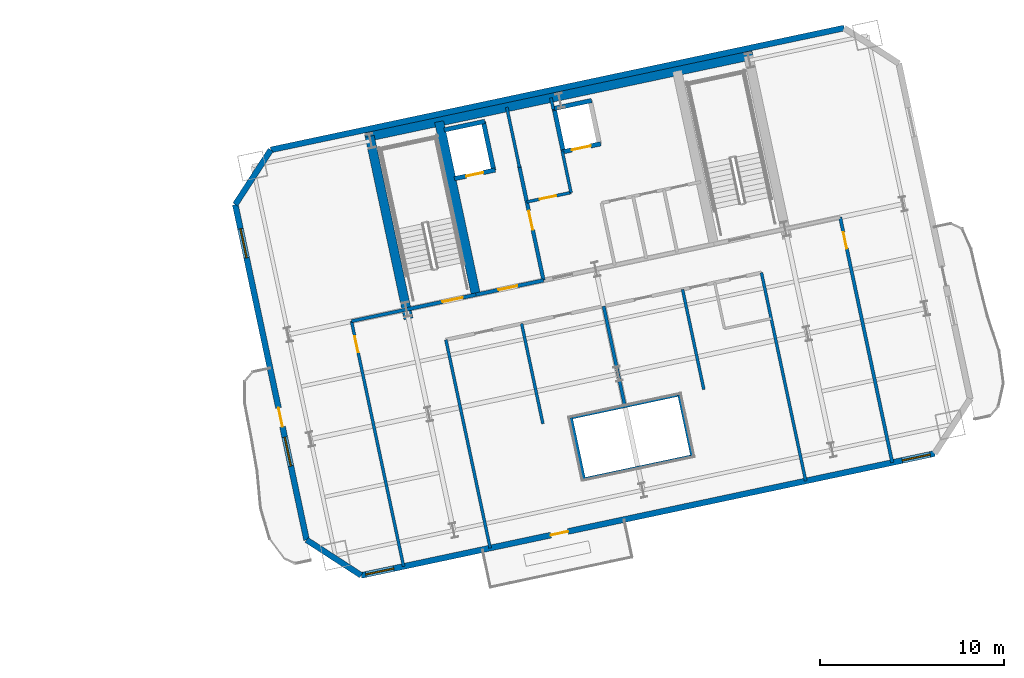
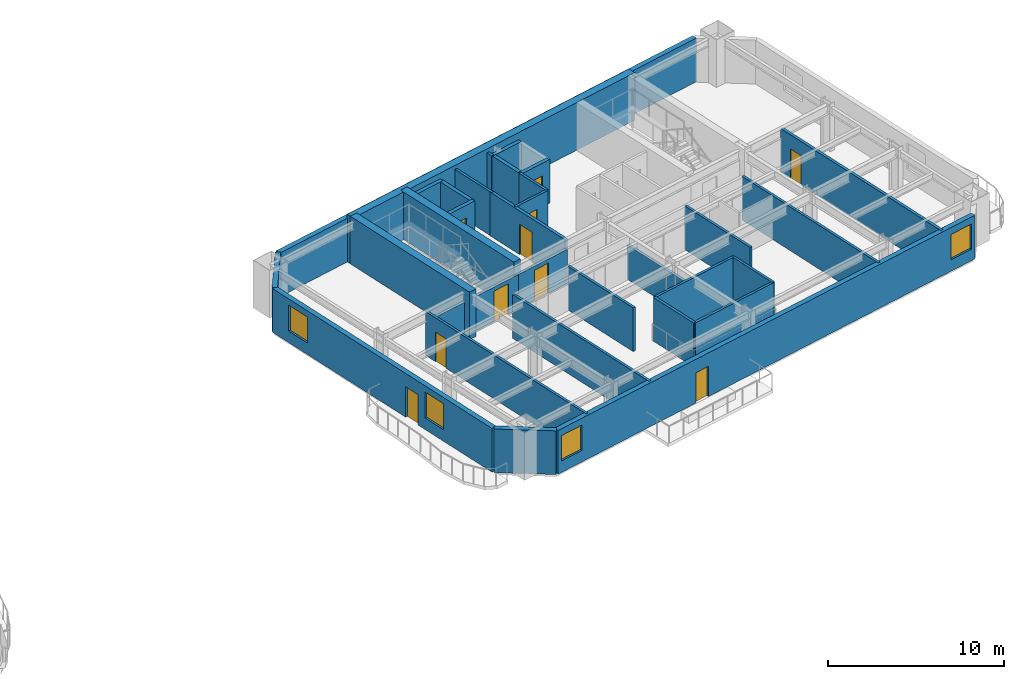
# One storey, part 8 of 14: 33 walls, 10 doors, 4 windows, 14 openings.
"""IFC4 building model written with IfcOpenShell, lengths in metres."""

from ifc_helpers import new_model, si_unit, direction, frame, frame_2d, origin, place, context, subcontext, project, spatial, rectangle, extrude, material, layer, layer_set, type_object, element, fill, save


model = new_model("IFC4")

# Units and contexts
model_context = context("Model", 3, precision=1e-05, world=origin(), true_north=direction((0.0, 1.0)))
body_context = subcontext(model_context, "Body", "Model", "MODEL_VIEW")
ifc_project = project(units=[si_unit("LENGTHUNIT", "METRE"), si_unit("AREAUNIT", "SQUARE_METRE"), si_unit("VOLUMEUNIT", "CUBIC_METRE"), si_unit("PLANEANGLEUNIT", "RADIAN"), si_unit("MASSUNIT", "GRAM", prefix="KILO")], contexts=[model_context])

# Site, building, storey
site_placement = place(None, origin())
site = spatial("IfcSite", under=ifc_project, at=site_placement, CompositionType="ELEMENT")
building_placement = place(site_placement, origin())
building = spatial("IfcBuilding", under=site, at=building_placement, Name="Haevon Station Towers", CompositionType="ELEMENT")
storey_placement = place(building_placement, frame((0.0, 0.0, 116.39990234375)))
storey = spatial("IfcBuildingStorey", under=building, at=storey_placement, Name="L31", CompositionType="ELEMENT", Elevation=116.39990234375)

# Wall
ifc_material_1 = material(Name="Gypsum board on steel stud", Category="steel")
ifc_layer_1 = layer(ifc_material_1, 0.179931640625)
ifc_layer_set_1 = layer_set([ifc_layer_1], Name="Gypsum board on steel stud")
wall_type_1 = type_object("IfcWallType", Name="WL-ACU180", PredefinedType="PARTITIONING", material=ifc_layer_set_1)
wall_1_placement = place(storey_placement, frame((95.76904296875, 36.808349609375, 0.0), z_axis=(0.0, 0.0, 1.0), x_axis=(0.978154782045, 0.207877902534, 0.0)))
element("IfcWall", 1, at=wall_1_placement, inside=storey, type_object=wall_type_1, Name="WL-T2PT-L31-03", PredefinedType="PARTITIONING", context=body_context, shape_type="SweptSolid", body=[
    extrude(rectangle(XDim=3.050048828125, YDim=0.179931640625, at=frame_2d((1.52490234375, 0.0))), origin(), (0.0, 0.0, 1.0), 2.380126953125),
])

# Wall, opening, door
wall_2_placement = place(storey_placement, frame((125.1044921875, 29.139892578125, 0.0), z_axis=(0.0, 0.0, 1.0), x_axis=(-0.207915436261, 0.978146804608, 0.0)))
wall_2 = element("IfcWall", 2, at=wall_2_placement, inside=storey, type_object=wall_type_1, Name="WL-T2PT-L31-06", PredefinedType="PARTITIONING", context=body_context, shape_type="SweptSolid", body=[
    extrude(rectangle(XDim=13.599853515625, YDim=0.179931640625, at=frame_2d((6.7998046875, 0.0))), origin(), (0.0, 0.0, 1.0), 3.030029296875),
])
opening_1_placement = place(wall_2_placement, frame((11.8701171875, 0.0, 0.0)))
opening_1 = element("IfcOpeningElement", 3, at=opening_1_placement, cuts=wall_2, Name="Opening DR-WL-T2PT-L31-06-01", PredefinedType="OPENING", context=body_context, shape_type="SweptSolid", body=[
    extrude(rectangle(XDim=0.89990234375, YDim=2.050048828125, at=frame_2d((0.449951171875, 1.02490234375))), frame((0.0, 0.099853515625, 0.0), z_axis=(0.0, -1.0, 0.0), x_axis=(1.0, 0.0, 0.0)), (0.0, 0.0, 1.0), 0.199951171875),
])
ifc_material_2 = material(Name="Engineered oak timber", Category="wood")
door_type_1 = type_object("IfcDoorType", Name="DR-INT-900", OperationType="NOTDEFINED", PredefinedType="DOOR", material=ifc_material_2)
door_1_placement = place(opening_1_placement, origin())
door_1 = element("IfcDoor", 4, at=door_1_placement, inside=storey, type_object=door_type_1, Name="L31 Tower 2 Room Door 6-1", OperationType="SINGLE_SWING_RIGHT", OverallHeight=2.050048828125, OverallWidth=0.89990234375, PredefinedType="DOOR", context=body_context, shape_type="SweptSolid", body=[
    extrude(rectangle(XDim=0.89990234375, YDim=2.050048828125, at=frame_2d((0.449951171875, 1.02490234375))), frame((0.0, 0.02490234375, 0.0), z_axis=(0.0, -1.0, 0.0), x_axis=(1.0, 0.0, 0.0)), (0.0, 0.0, 1.0), 0.050048828125),
])
fill(opening_1, door_1)

# Walls
wall_3_placement = place(storey_placement, frame((108.37548828125, 28.2421875, 0.0), z_axis=(0.0, 0.0, 1.0), x_axis=(-0.207881084728, 0.978154105758, 0.0)))
element("IfcWall", 5, at=wall_3_placement, inside=storey, type_object=wall_type_1, Name="WL-T2PT-L31-09", PredefinedType="PARTITIONING", context=body_context, shape_type="SweptSolid", body=[
    extrude(rectangle(XDim=3.39990234375, YDim=0.179931640625, at=frame_2d((1.699951171875, 0.0))), origin(), (0.0, 0.0, 1.0), 3.030029296875),
])
wall_4_placement = place(storey_placement, frame((110.60302734375, 32.191650390625, 0.0), z_axis=(0.0, 0.0, 1.0), x_axis=(-0.207894531291, 0.978151247946, 0.0)))
element("IfcWall", 6, at=wall_4_placement, inside=storey, type_object=wall_type_1, Name="WL-T2PT-L31-12", PredefinedType="PARTITIONING", context=body_context, shape_type="SweptSolid", body=[
    extrude(rectangle(XDim=5.550048828125, YDim=0.179931640625, at=frame_2d((2.77490234375, 0.0))), origin(), (0.0, 0.0, 1.0), 2.380126953125),
])

# Wall, opening, door
ifc_layer_2 = layer(ifc_material_1, 0.199951171875)
ifc_layer_set_2 = layer_set([ifc_layer_2], Name="Gypsum board on steel stud")
wall_type_2 = type_object("IfcWallType", Name="WL-COR200", PredefinedType="PARTITIONING", material=ifc_layer_set_2)
wall_5_placement = place(storey_placement, frame((98.75244140625, 37.4423828125, 0.0), z_axis=(0.0, 0.0, 1.0), x_axis=(0.978143537786, 0.207930804564, 0.0)))
wall_5 = element("IfcWall", 7, at=wall_5_placement, inside=storey, type_object=wall_type_2, Name="WL-ST-ST3-L31", PredefinedType="PARTITIONING", context=body_context, shape_type="SweptSolid", body=[
    extrude(rectangle(XDim=3.85009765625, YDim=0.199951171875, at=frame_2d((1.925048828125, 0.0))), origin(), (0.0, 0.0, 1.0), 2.380126953125),
])
opening_2_placement = place(wall_5_placement, frame((2.0, 0.0, 0.0)))
opening_2 = element("IfcOpeningElement", 8, at=opening_2_placement, cuts=wall_5, Name="Opening DR-ST-ST3-L31", PredefinedType="OPENING", context=body_context, shape_type="SweptSolid", body=[
    extrude(rectangle(XDim=1.1201171875, YDim=2.10009765625, at=frame_2d((0.56005859375, 1.050048828125))), frame((0.0, 0.10986328125, 0.0), z_axis=(0.0, -1.0, 0.0), x_axis=(1.0, 0.0, 0.0)), (0.0, 0.0, 1.0), 0.219970703125),
])
door_type_2 = type_object("IfcDoorType", Name="DR-ST-1120", OperationType="NOTDEFINED", PredefinedType="DOOR", material=ifc_material_2)
door_2_placement = place(opening_2_placement, origin())
door_2 = element("IfcDoor", 9, at=door_2_placement, inside=storey, type_object=door_type_2, Name="L31 Escape Stair ST3 Fire Door", OperationType="SINGLE_SWING_LEFT", OverallHeight=2.10009765625, OverallWidth=1.1201171875, PredefinedType="DOOR", context=body_context, shape_type="SweptSolid", body=[
    extrude(rectangle(XDim=1.1201171875, YDim=2.10009765625, at=frame_2d((0.56005859375, 1.050048828125))), frame((0.0, 0.02490234375, 0.0), z_axis=(0.0, -1.0, 0.0), x_axis=(1.0, 0.0, 0.0)), (0.0, 0.0, 1.0), 0.050048828125),
])
fill(opening_2, door_2)

wall_6_placement = place(storey_placement, frame((106.186279296875, 39.0224609375, 0.0), z_axis=(0.0, 0.0, 1.0), x_axis=(-0.207916691923, 0.978146537703, 0.0)))
wall_6 = element("IfcWall", 10, at=wall_6_placement, inside=storey, type_object=wall_type_2, Name="WL-T2FFL-L31-E", PredefinedType="PARTITIONING", context=body_context, shape_type="SweptSolid", body=[
    extrude(rectangle(XDim=6.35009765625, YDim=0.199951171875, at=frame_2d((3.175048828125, 0.0))), origin(), (0.0, 0.0, 1.0), 3.030029296875),
])
opening_3_placement = place(wall_6_placement, frame((2.800048828125, 0.0, 0.0)))
opening_3 = element("IfcOpeningElement", 11, at=opening_3_placement, cuts=wall_6, Name="Opening DR-T2FFL-L31-E", PredefinedType="OPENING", context=body_context, shape_type="SweptSolid", body=[
    extrude(rectangle(XDim=1.050048828125, YDim=2.10009765625, at=frame_2d((0.52490234375, 1.050048828125))), frame((0.0, 0.10986328125, 0.0), z_axis=(0.0, -1.0, 0.0), x_axis=(1.0, 0.0, 0.0)), (0.0, 0.0, 1.0), 0.219970703125),
])
door_type_3 = type_object("IfcDoorType", Name="DR-FD60-1050", OperationType="NOTDEFINED", PredefinedType="DOOR", material=ifc_material_2)
door_3_placement = place(opening_3_placement, origin())
door_3 = element("IfcDoor", 12, at=door_3_placement, inside=storey, type_object=door_type_3, Name="L31 Tower 2 Firefighting Lift Lobby Door E", OperationType="SINGLE_SWING_LEFT", OverallHeight=2.10009765625, OverallWidth=1.050048828125, PredefinedType="DOOR", context=body_context, shape_type="SweptSolid", body=[
    extrude(rectangle(XDim=1.050048828125, YDim=2.10009765625, at=frame_2d((0.52490234375, 1.050048828125))), frame((0.0, 0.02490234375, 0.0), z_axis=(0.0, -1.0, 0.0), x_axis=(1.0, 0.0, 0.0)), (0.0, 0.0, 1.0), 0.050048828125),
])
fill(opening_3, door_3)

wall_7_placement = place(storey_placement, frame((102.518310546875, 38.242919921875, 0.0), z_axis=(0.0, 0.0, 1.0), x_axis=(0.978153555683, 0.20788367301, 0.0)))
wall_7 = element("IfcWall", 13, at=wall_7_placement, inside=storey, type_object=wall_type_2, Name="WL-T2FFL-L31-S", PredefinedType="PARTITIONING", context=body_context, shape_type="SweptSolid", body=[
    extrude(rectangle(XDim=3.75, YDim=0.199951171875, at=frame_2d((1.875, 0.0))), origin(), (0.0, 0.0, 1.0), 2.380126953125),
])
opening_4_placement = place(wall_7_placement, frame((1.25, 0.0, 0.0)))
opening_4 = element("IfcOpeningElement", 14, at=opening_4_placement, cuts=wall_7, Name="Opening DR-T2FFL-L31-S", PredefinedType="OPENING", context=body_context, shape_type="SweptSolid", body=[
    extrude(rectangle(XDim=1.050048828125, YDim=2.10009765625, at=frame_2d((0.52490234375, 1.050048828125))), frame((0.0, 0.10986328125, 0.0), z_axis=(0.0, -1.0, 0.0), x_axis=(1.0, 0.0, 0.0)), (0.0, 0.0, 1.0), 0.219970703125),
])
door_4_placement = place(opening_4_placement, origin())
door_4 = element("IfcDoor", 15, at=door_4_placement, inside=storey, type_object=door_type_3, Name="L31 Tower 2 Firefighting Lift Lobby Door S", OperationType="SINGLE_SWING_RIGHT", OverallHeight=2.10009765625, OverallWidth=1.050048828125, PredefinedType="DOOR", context=body_context, shape_type="SweptSolid", body=[
    extrude(rectangle(XDim=1.050048828125, YDim=2.10009765625, at=frame_2d((0.52490234375, 1.050048828125))), frame((0.0, 0.02490234375, 0.0), z_axis=(0.0, -1.0, 0.0), x_axis=(1.0, 0.0, 0.0)), (0.0, 0.0, 1.0), 0.050048828125),
])
fill(opening_4, door_4)

# Walls
ifc_material_3 = material(Name="Concrete C60/75", Category="concrete")
ifc_layer_3 = layer(ifc_material_3, 0.5)
ifc_layer_set_3 = layer_set([ifc_layer_3], Name="Concrete C60/75")
wall_type_3 = type_object("IfcWallType", Name="WL-CR500", PredefinedType="SHEAR", material=ifc_layer_set_3)
wall_8_placement = place(storey_placement, frame((96.511962890625, 46.78076171875, 0.0), z_axis=(0.0, 0.0, 1.0), x_axis=(0.978148546782, 0.207907239961, 0.0)))
element("IfcWall", 16, at=wall_8_placement, inside=storey, type_object=wall_type_3, Name="WL-T2CR-L31-N", PredefinedType="SHEAR", context=body_context, shape_type="SweptSolid", body=[
    extrude(rectangle(XDim=21.499755859375, YDim=0.5, at=frame_2d((10.75, 0.0))), origin(), (0.0, 0.0, 1.0), 3.300048828125),
])
wall_9_placement = place(storey_placement, frame((98.8603515625, 36.933837890625, 0.0), z_axis=(0.0, 0.0, 1.0), x_axis=(-0.20790924889, 0.978148119778, 0.0)))
element("IfcWall", 17, at=wall_9_placement, inside=storey, type_object=wall_type_3, Name="WL-T2CR-L31-W", PredefinedType="SHEAR", context=body_context, shape_type="SweptSolid", body=[
    extrude(rectangle(XDim=10.119873046875, YDim=0.5, at=frame_2d((5.06005859375, 0.0))), origin(), (0.0, 0.0, 1.0), 3.300048828125),
])
wall_10_placement = place(storey_placement, frame((102.518310546875, 38.242919921875, 0.0), z_axis=(0.0, 0.0, 1.0), x_axis=(-0.207927495108, 0.978144241295, 0.0)))
element("IfcWall", 18, at=wall_10_placement, inside=storey, type_object=wall_type_3, Name="WL-T2CR-L31-M1", PredefinedType="SHEAR", context=body_context, shape_type="SweptSolid", body=[
    extrude(rectangle(XDim=9.599853515625, YDim=0.5, at=frame_2d((4.7998046875, 0.0))), origin(), (0.0, 0.0, 1.0), 3.300048828125),
])

# Wall, openings, door, windows
ifc_material_4 = material(Name="Precast concrete C45/55", Category="concrete")
ifc_layer_4 = layer(ifc_material_4, 0.320068359375)
ifc_layer_set_4 = layer_set([ifc_layer_4], Name="Precast concrete C45/55")
wall_type_4 = type_object("IfcWallType", Name="WL-EXT-PIER320", PredefinedType="SOLIDWALL", material=ifc_layer_set_4)
wall_11_placement = place(storey_placement, frame((127.403076171875, 29.62841796875, 0.0), z_axis=(0.0, 0.0, 1.0), x_axis=(-0.978147903401, -0.207910266877, 0.0)))
wall_11 = element("IfcWall", 19, at=wall_11_placement, inside=storey, type_object=wall_type_4, Name="WL-T2-L31-S", PredefinedType="SOLIDWALL", context=body_context, shape_type="SweptSolid", body=[
    extrude(rectangle(XDim=31.800048828125, YDim=0.320068359375, at=frame_2d((15.89990234375, 0.0))), origin(), (0.0, 0.0, 1.0), 3.030029296875),
])
opening_5_placement = place(wall_11_placement, frame((20.3349609375, 0.0, 0.0)))
opening_5 = element("IfcOpeningElement", 20, at=opening_5_placement, cuts=wall_11, Name="Opening DR-T2-PBAND-L31-1", PredefinedType="OPENING", context=body_context, shape_type="SweptSolid", body=[
    extrude(rectangle(XDim=0.949951171875, YDim=2.10009765625, at=frame_2d((0.47509765625, 1.050048828125))), frame((0.0, 0.169921875, 0.0), z_axis=(0.0, -1.0, 0.0), x_axis=(1.0, 0.0, 0.0)), (0.0, 0.0, 1.0), 0.340087890625),
])
opening_6_placement = place(wall_11_placement, frame((30.0, 0.0, 0.800048828125)))
opening_6 = element("IfcOpeningElement", 21, at=opening_6_placement, cuts=wall_11, Name="Opening WN-P155", PredefinedType="OPENING", context=body_context, shape_type="SweptSolid", body=[
    extrude(rectangle(XDim=1.550048828125, YDim=1.75, at=frame_2d((0.77490234375, 0.875))), frame((0.0, 0.169921875, 0.0), z_axis=(0.0, -1.0, 0.0), x_axis=(1.0, 0.0, 0.0)), (0.0, 0.0, 1.0), 0.340087890625),
])
opening_7_placement = place(wall_11_placement, frame((0.25, 0.0, 0.800048828125)))
opening_7 = element("IfcOpeningElement", 22, at=opening_7_placement, cuts=wall_11, Name="Opening WN-P155", PredefinedType="OPENING", context=body_context, shape_type="SweptSolid", body=[
    extrude(rectangle(XDim=1.550048828125, YDim=1.75, at=frame_2d((0.77490234375, 0.875))), frame((0.0, 0.169921875, 0.0), z_axis=(0.0, -1.0, 0.0), x_axis=(1.0, 0.0, 0.0)), (0.0, 0.0, 1.0), 0.340087890625),
])
ifc_material_5 = material(Name="Thermally broken anodised aluminium and laminated safety glass", Category="aluminium")
door_type_4 = type_object("IfcDoorType", Name="DR-BALC-950", OperationType="NOTDEFINED", PredefinedType="DOOR", material=ifc_material_5)
door_5_placement = place(opening_5_placement, origin())
door_5 = element("IfcDoor", 23, at=door_5_placement, inside=storey, type_object=door_type_4, Name="Tower 2 L31 Balcony Terrace Door", OperationType="SINGLE_SWING_LEFT", OverallHeight=2.10009765625, OverallWidth=0.949951171875, PredefinedType="DOOR", context=body_context, shape_type="SweptSolid", body=[
    extrude(rectangle(XDim=0.949951171875, YDim=2.10009765625, at=frame_2d((0.47509765625, 1.050048828125))), frame((0.0, 0.02490234375, 0.0), z_axis=(0.0, -1.0, 0.0), x_axis=(1.0, 0.0, 0.0)), (0.0, 0.0, 1.0), 0.050048828125),
])
fill(opening_5, door_5)
ifc_material_6 = material(Name="Low-E triple glazing in thermally broken aluminium", Category="aluminium")
window_type_1 = type_object("IfcWindowType", Name="WN-P155", PartitioningType="SINGLE_PANEL", PredefinedType="WINDOW", material=ifc_material_6)
window_1_placement = place(opening_6_placement, origin())
window_1 = element("IfcWindow", 24, at=window_1_placement, inside=storey, type_object=window_type_1, Name="WN-T2-L31-S01", OverallHeight=1.75, OverallWidth=1.550048828125, PartitioningType="SINGLE_PANEL", PredefinedType="WINDOW", context=body_context, shape_type="SweptSolid", body=[
    extrude(rectangle(XDim=1.550048828125, YDim=1.75, at=frame_2d((0.77490234375, 0.875))), frame((0.0, 0.030029296875, 0.0), z_axis=(0.0, -1.0, 0.0), x_axis=(1.0, 0.0, 0.0)), (0.0, 0.0, 1.0), 0.06005859375),
])
fill(opening_6, window_1)
window_2_placement = place(opening_7_placement, origin())
window_2 = element("IfcWindow", 25, at=window_2_placement, inside=storey, type_object=window_type_1, Name="WN-T2-L31-S02", OverallHeight=1.75, OverallWidth=1.550048828125, PartitioningType="SINGLE_PANEL", PredefinedType="WINDOW", context=body_context, shape_type="SweptSolid", body=[
    extrude(rectangle(XDim=1.550048828125, YDim=1.75, at=frame_2d((0.77490234375, 0.875))), frame((0.0, 0.030029296875, 0.0), z_axis=(0.0, -1.0, 0.0), x_axis=(1.0, 0.0, 0.0)), (0.0, 0.0, 1.0), 0.06005859375),
])
fill(opening_7, window_2)

# Wall
wall_12_placement = place(storey_placement, frame((96.2978515625, 23.016845703125, 0.0), z_axis=(0.0, 0.0, 1.0), x_axis=(-0.838672309694, 0.544636352948, 0.0)))
element("IfcWall", 26, at=wall_12_placement, inside=storey, type_object=wall_type_4, Name="WL-T2-L31-SWC", PredefinedType="SOLIDWALL", context=body_context, shape_type="SweptSolid", body=[
    extrude(rectangle(XDim=3.535400390625, YDim=0.320068359375, at=frame_2d((1.767578125, 0.0))), origin(), (0.0, 0.0, 1.0), 3.030029296875),
])

# Wall, openings, door, windows
wall_13_placement = place(storey_placement, frame((93.332763671875, 24.9423828125, 0.0), z_axis=(0.0, 0.0, 1.0), x_axis=(-0.207912600897, 0.97814740729, 0.0)))
wall_13 = element("IfcWall", 27, at=wall_13_placement, inside=storey, type_object=wall_type_4, Name="WL-T2-L31-W", PredefinedType="SOLIDWALL", context=body_context, shape_type="SweptSolid", body=[
    extrude(rectangle(XDim=18.60009765625, YDim=0.320068359375, at=frame_2d((9.300048828125, 0.0))), origin(), (0.0, 0.0, 1.0), 3.030029296875),
])
opening_8_placement = place(wall_13_placement, frame((6.27490234375, 0.0, 0.0)))
opening_8 = element("IfcOpeningElement", 28, at=opening_8_placement, cuts=wall_13, Name="Opening DR-T2-SCAL-L31-W", PredefinedType="OPENING", context=body_context, shape_type="SweptSolid", body=[
    extrude(rectangle(XDim=1.050048828125, YDim=2.10009765625, at=frame_2d((0.52490234375, 1.050048828125))), frame((0.0, 0.169921875, 0.0), z_axis=(0.0, -1.0, 0.0), x_axis=(1.0, 0.0, 0.0)), (0.0, 0.0, 1.0), 0.340087890625),
])
opening_9_placement = place(wall_13_placement, frame((4.10009765625, 0.0, 0.800048828125)))
opening_9 = element("IfcOpeningElement", 29, at=opening_9_placement, cuts=wall_13, Name="Opening WN-END160", PredefinedType="OPENING", context=body_context, shape_type="SweptSolid", body=[
    extrude(rectangle(XDim=1.60009765625, YDim=1.800048828125, at=frame_2d((0.800048828125, 0.89990234375))), frame((0.0, 0.169921875, 0.0), z_axis=(0.0, -1.0, 0.0), x_axis=(1.0, 0.0, 0.0)), (0.0, 0.0, 1.0), 0.340087890625),
])
opening_10_placement = place(wall_13_placement, frame((15.64990234375, 0.0, 0.800048828125)))
opening_10 = element("IfcOpeningElement", 30, at=opening_10_placement, cuts=wall_13, Name="Opening WN-END160", PredefinedType="OPENING", context=body_context, shape_type="SweptSolid", body=[
    extrude(rectangle(XDim=1.60009765625, YDim=1.800048828125, at=frame_2d((0.800048828125, 0.89990234375))), frame((0.0, 0.169921875, 0.0), z_axis=(0.0, -1.0, 0.0), x_axis=(1.0, 0.0, 0.0)), (0.0, 0.0, 1.0), 0.340087890625),
])
door_type_5 = type_object("IfcDoorType", Name="DR-BALC-1050", OperationType="NOTDEFINED", PredefinedType="DOOR", material=ifc_material_5)
door_6_placement = place(opening_8_placement, origin())
door_6 = element("IfcDoor", 31, at=door_6_placement, inside=storey, type_object=door_type_5, Name="Tower 2 L31 West Scalloped Balcony Door", OperationType="SINGLE_SWING_RIGHT", OverallHeight=2.10009765625, OverallWidth=1.050048828125, PredefinedType="DOOR", context=body_context, shape_type="SweptSolid", body=[
    extrude(rectangle(XDim=1.050048828125, YDim=2.10009765625, at=frame_2d((0.52490234375, 1.050048828125))), frame((0.0, 0.02490234375, 0.0), z_axis=(0.0, -1.0, 0.0), x_axis=(1.0, 0.0, 0.0)), (0.0, 0.0, 1.0), 0.050048828125),
])
fill(opening_8, door_6)
window_type_2 = type_object("IfcWindowType", Name="WN-END160", PartitioningType="SINGLE_PANEL", PredefinedType="WINDOW", material=ifc_material_6)
window_3_placement = place(opening_9_placement, origin())
window_3 = element("IfcWindow", 32, at=window_3_placement, inside=storey, type_object=window_type_2, Name="WN-T2-L31-W01", OverallHeight=1.800048828125, OverallWidth=1.60009765625, PartitioningType="SINGLE_PANEL", PredefinedType="WINDOW", context=body_context, shape_type="SweptSolid", body=[
    extrude(rectangle(XDim=1.60009765625, YDim=1.800048828125, at=frame_2d((0.800048828125, 0.89990234375))), frame((0.0, 0.030029296875, 0.0), z_axis=(0.0, -1.0, 0.0), x_axis=(1.0, 0.0, 0.0)), (0.0, 0.0, 1.0), 0.06005859375),
])
fill(opening_9, window_3)
window_4_placement = place(opening_10_placement, origin())
window_4 = element("IfcWindow", 33, at=window_4_placement, inside=storey, type_object=window_type_2, Name="WN-T2-L31-W02", OverallHeight=1.800048828125, OverallWidth=1.60009765625, PartitioningType="SINGLE_PANEL", PredefinedType="WINDOW", context=body_context, shape_type="SweptSolid", body=[
    extrude(rectangle(XDim=1.60009765625, YDim=1.800048828125, at=frame_2d((0.800048828125, 0.89990234375))), frame((0.0, 0.030029296875, 0.0), z_axis=(0.0, -1.0, 0.0), x_axis=(1.0, 0.0, 0.0)), (0.0, 0.0, 1.0), 0.06005859375),
])
fill(opening_10, window_4)

# Walls
wall_14_placement = place(storey_placement, frame((89.465576171875, 43.135986328125, 0.0), z_axis=(0.0, 0.0, 1.0), x_axis=(0.544684921471, 0.838640767148, 0.0)))
element("IfcWall", 34, at=wall_14_placement, inside=storey, type_object=wall_type_4, Name="WL-T2-L31-NWC", PredefinedType="SOLIDWALL", context=body_context, shape_type="SweptSolid", body=[
    extrude(rectangle(XDim=3.53564453125, YDim=0.320068359375, at=frame_2d((1.767822265625, 0.0))), origin(), (0.0, 0.0, 1.0), 3.030029296875),
])
wall_15_placement = place(storey_placement, frame((91.391357421875, 46.10107421875, 0.0), z_axis=(0.0, 0.0, 1.0), x_axis=(0.978147571531, 0.207911828208, 0.0)))
element("IfcWall", 35, at=wall_15_placement, inside=storey, type_object=wall_type_4, Name="WL-T2-L31-N", PredefinedType="SOLIDWALL", context=body_context, shape_type="SweptSolid", body=[
    extrude(rectangle(XDim=31.7998046875, YDim=0.320068359375, at=frame_2d((15.89990234375, 0.0))), origin(), (0.0, 0.0, 1.0), 3.030029296875),
])
ifc_layer_5 = layer(ifc_material_1, 0.159912109375)
ifc_layer_set_5 = layer_set([ifc_layer_5], Name="Gypsum board on steel stud")
wall_type_5 = type_object("IfcWallType", Name="WL-PRT160", PredefinedType="PARTITIONING", material=ifc_layer_set_5)
wall_16_placement = place(storey_placement, frame((104.88671875, 45.135986328125, 0.0), z_axis=(0.0, 0.0, 1.0), x_axis=(-0.207846553267, 0.978161443881, 0.0)))
element("IfcWall", 36, at=wall_16_placement, inside=storey, type_object=wall_type_5, Name="WL-T2CW-L31-01", PredefinedType="PARTITIONING", context=body_context, shape_type="SweptSolid", body=[
    extrude(rectangle(XDim=3.35009765625, YDim=0.159912109375, at=frame_2d((1.675048828125, 0.0))), origin(), (0.0, 0.0, 1.0), 3.030029296875),
])

# Wall, opening, door
wall_17_placement = place(storey_placement, frame((105.28173828125, 43.277587890625, 0.0), z_axis=(0.0, 0.0, 1.0), x_axis=(0.978156824814, 0.207868290196, 0.0)))
wall_17 = element("IfcWall", 37, at=wall_17_placement, inside=storey, type_object=wall_type_5, Name="WL-T2CW-L31-02", PredefinedType="PARTITIONING", context=body_context, shape_type="SweptSolid", body=[
    extrude(rectangle(XDim=2.449951171875, YDim=0.159912109375, at=frame_2d((1.22509765625, 0.0))), origin(), (0.0, 0.0, 1.0), 3.030029296875),
])
opening_11_placement = place(wall_17_placement, frame((0.719970703125, 0.0, 0.0)))
opening_11 = element("IfcOpeningElement", 38, at=opening_11_placement, cuts=wall_17, Name="Opening DR-WL-T2CW-L31-02-1", PredefinedType="OPENING", context=body_context, shape_type="SweptSolid", body=[
    extrude(rectangle(XDim=0.89990234375, YDim=2.10009765625, at=frame_2d((0.449951171875, 1.050048828125))), frame((0.0, 0.08984375, 0.0), z_axis=(0.0, -1.0, 0.0), x_axis=(1.0, 0.0, 0.0)), (0.0, 0.0, 1.0), 0.179931640625),
])
door_type_6 = type_object("IfcDoorType", Name="DR-FD60-900", OperationType="NOTDEFINED", PredefinedType="DOOR", material=ifc_material_2)
door_7_placement = place(opening_11_placement, origin())
door_7 = element("IfcDoor", 39, at=door_7_placement, inside=storey, type_object=door_type_6, Name="L31 Tower 2 Core Room Door 2-1", OperationType="SINGLE_SWING_LEFT", OverallHeight=2.10009765625, OverallWidth=0.89990234375, PredefinedType="DOOR", context=body_context, shape_type="SweptSolid", body=[
    extrude(rectangle(XDim=0.89990234375, YDim=2.10009765625, at=frame_2d((0.449951171875, 1.050048828125))), frame((0.0, 0.02490234375, 0.0), z_axis=(0.0, -1.0, 0.0), x_axis=(1.0, 0.0, 0.0)), (0.0, 0.0, 1.0), 0.050048828125),
])
fill(opening_11, door_7)

# Walls
wall_18_placement = place(storey_placement, frame((107.67822265625, 43.786865234375, 0.0), z_axis=(0.0, 0.0, 1.0), x_axis=(-0.207839712757, 0.978162897375, 0.0)))
element("IfcWall", 40, at=wall_18_placement, inside=storey, type_object=wall_type_5, Name="WL-T2CW-L31-03", PredefinedType="PARTITIONING", context=body_context, shape_type="SweptSolid", body=[
    extrude(rectangle(XDim=2.300048828125, YDim=0.159912109375, at=frame_2d((1.14990234375, 0.0))), origin(), (0.0, 0.0, 1.0), 3.030029296875),
])
wall_19_placement = place(storey_placement, frame((106.721923828125, 48.286376953125, 0.0), z_axis=(0.0, 0.0, 1.0), x_axis=(-0.208092352933, 0.978109182377, 0.0)))
element("IfcWall", 41, at=wall_19_placement, inside=storey, type_object=wall_type_5, Name="WL-T2CW-L31-04", PredefinedType="PARTITIONING", context=body_context, shape_type="SweptSolid", body=[
    extrude(rectangle(XDim=0.64990234375, YDim=0.159912109375, at=frame_2d((0.324951171875, 0.0))), origin(), (0.0, 0.0, 1.0), 3.030029296875),
])
for number, where, z_axis, x_axis, name in (
    (42, (103.291748046875, 24.50341796875, 0.0), (0.0, 0.0, 1.0), (-0.207910580697, 0.978147836697, 0.0), "WL-T2PT-L31-01"),
    (43, (120.4091796875, 28.141845703125, 0.0), (0.0, 0.0, 1.0), (-0.207910580697, 0.978147836697, 0.0), "WL-T2PT-L31-02"),
):
    element("IfcWall", number, at=place(storey_placement, frame(where, z_axis=z_axis, x_axis=x_axis)), inside=storey, type_object=wall_type_5, Name=name, PredefinedType="PARTITIONING", context=body_context, shape_type="SweptSolid", body=[
        extrude(rectangle(XDim=11.550048828125, YDim=0.159912109375, at=frame_2d((5.77490234375, 0.0))), origin(), (0.0, 0.0, 1.0), 3.030029296875),
    ])

# Wall, opening, door
wall_20_placement = place(storey_placement, frame((98.5966796875, 23.50537109375, 0.0), z_axis=(0.0, 0.0, 1.0), x_axis=(-0.207911785474, 0.978147580614, 0.0)))
wall_20 = element("IfcWall", 44, at=wall_20_placement, inside=storey, type_object=wall_type_5, Name="WL-T2PT-L31-05", PredefinedType="PARTITIONING", context=body_context, shape_type="SweptSolid", body=[
    extrude(rectangle(XDim=13.60009765625, YDim=0.159912109375, at=frame_2d((6.800048828125, 0.0))), origin(), (0.0, 0.0, 1.0), 3.030029296875),
])
opening_12_placement = place(wall_20_placement, frame((11.8701171875, 0.0, 0.0)))
opening_12 = element("IfcOpeningElement", 45, at=opening_12_placement, cuts=wall_20, Name="Opening DR-WL-T2PT-L31-05-01", PredefinedType="OPENING", context=body_context, shape_type="SweptSolid", body=[
    extrude(rectangle(XDim=0.89990234375, YDim=2.050048828125, at=frame_2d((0.449951171875, 1.02490234375))), frame((0.0, 0.08984375, 0.0), z_axis=(0.0, -1.0, 0.0), x_axis=(1.0, 0.0, 0.0)), (0.0, 0.0, 1.0), 0.179931640625),
])
door_8_placement = place(opening_12_placement, origin())
door_8 = element("IfcDoor", 46, at=door_8_placement, inside=storey, type_object=door_type_1, Name="L31 Tower 2 Room Door 5-1", OperationType="SINGLE_SWING_LEFT", OverallHeight=2.050048828125, OverallWidth=0.89990234375, PredefinedType="DOOR", context=body_context, shape_type="SweptSolid", body=[
    extrude(rectangle(XDim=0.89990234375, YDim=2.050048828125, at=frame_2d((0.449951171875, 1.02490234375))), frame((0.0, 0.02490234375, 0.0), z_axis=(0.0, -1.0, 0.0), x_axis=(1.0, 0.0, 0.0)), (0.0, 0.0, 1.0), 0.050048828125),
])
fill(opening_12, door_8)

# Walls
wall_21_placement = place(storey_placement, frame((108.37548828125, 28.2421875, 0.0), z_axis=(0.0, 0.0, 1.0), x_axis=(0.978152955943, 0.207886494942, 0.0)))
element("IfcWall", 47, at=wall_21_placement, inside=storey, type_object=wall_type_5, Name="WL-T2PT-L31-07", PredefinedType="PARTITIONING", context=body_context, shape_type="SweptSolid", body=[
    extrude(rectangle(XDim=6.0, YDim=0.159912109375, at=frame_2d((3.0, 0.0))), origin(), (0.0, 0.0, 1.0), 3.030029296875),
])
wall_22_placement = place(storey_placement, frame((107.668701171875, 31.56787109375, 0.0), z_axis=(0.0, 0.0, 1.0), x_axis=(0.978151197336, 0.207894769415, 0.0)))
element("IfcWall", 48, at=wall_22_placement, inside=storey, type_object=wall_type_5, Name="WL-T2PT-L31-08", PredefinedType="PARTITIONING", context=body_context, shape_type="SweptSolid", body=[
    extrude(rectangle(XDim=5.999755859375, YDim=0.159912109375, at=frame_2d((3.0, 0.0))), origin(), (0.0, 0.0, 1.0), 3.030029296875),
])
wall_23_placement = place(storey_placement, frame((114.244384765625, 29.489501953125, 0.0), z_axis=(0.0, 0.0, 1.0), x_axis=(-0.207949787024, 0.97813950236, 0.0)))
element("IfcWall", 49, at=wall_23_placement, inside=storey, type_object=wall_type_5, Name="WL-T2PT-L31-10", PredefinedType="PARTITIONING", context=body_context, shape_type="SweptSolid", body=[
    extrude(rectangle(XDim=3.39990234375, YDim=0.159912109375, at=frame_2d((1.699951171875, 0.0))), origin(), (0.0, 0.0, 1.0), 3.030029296875),
])
for number, where, z_axis, x_axis, name in (
    (50, (106.15234375, 31.24560546875, 0.0), (0.0, 0.0, 1.0), (-0.207894531291, 0.978151247946, 0.0), "WL-T2PT-L31-11"),
    (51, (114.88232421875, 33.10107421875, 0.0), (0.0, 0.0, 1.0), (-0.207894531291, 0.978151247946, 0.0), "WL-T2PT-L31-14"),
):
    element("IfcWall", number, at=place(storey_placement, frame(where, z_axis=z_axis, x_axis=x_axis)), inside=storey, type_object=wall_type_5, Name=name, PredefinedType="PARTITIONING", context=body_context, shape_type="SweptSolid", body=[
        extrude(rectangle(XDim=5.550048828125, YDim=0.159912109375, at=frame_2d((2.77490234375, 0.0))), origin(), (0.0, 0.0, 1.0), 3.030029296875),
    ])

# Wall, opening, door
ifc_material_7 = material(Name="Concrete C40/50", Category="concrete")
ifc_layer_6 = layer(ifc_material_7, 0.239990234375)
ifc_layer_set_6 = layer_set([ifc_layer_6], Name="Concrete C40/50")
wall_type_6 = type_object("IfcWallType", Name="WL-SHF240", PredefinedType="PARTITIONING", material=ifc_layer_set_6)
wall_24_placement = place(storey_placement, frame((101.353759765625, 44.538330078125, 0.0), z_axis=(0.0, 0.0, 1.0), x_axis=(0.978141002414, 0.207942731049, 0.0)))
wall_24 = element("IfcWall", 52, at=wall_24_placement, inside=storey, type_object=wall_type_6, Name="WL-SHF-FL2-L31", PredefinedType="PARTITIONING", context=body_context, shape_type="SweptSolid", body=[
    extrude(rectangle(XDim=2.260009765625, YDim=0.239990234375, at=frame_2d((1.1298828125, 0.0))), origin(), (0.0, 0.0, 1.0), 3.030029296875),
])
opening_13_placement = place(wall_24_placement, frame((0.655029296875, 0.0, 0.0)))
opening_13 = element("IfcOpeningElement", 53, at=opening_13_placement, cuts=wall_24, Name="Opening LD-FL2-L31", PredefinedType="OPENING", context=body_context, shape_type="SweptSolid", body=[
    extrude(rectangle(XDim=0.949951171875, YDim=2.14990234375, at=frame_2d((0.47509765625, 1.074951171875))), frame((0.0, 0.1298828125, 0.0), z_axis=(0.0, -1.0, 0.0), x_axis=(1.0, 0.0, 0.0)), (0.0, 0.0, 1.0), 0.260009765625),
])
ifc_material_8 = material(Name="Stainless steel and rated core", Category="steel")
door_type_7 = type_object("IfcDoorType", Name="LD-FL950", OperationType="SLIDING_TO_LEFT", PredefinedType="DOOR", material=ifc_material_8)
door_9_placement = place(opening_13_placement, origin())
door_9 = element("IfcDoor", 54, at=door_9_placement, inside=storey, type_object=door_type_7, Name="L31 Lift FL2 Sliding Landing Door", OperationType="SLIDING_TO_LEFT", OverallHeight=2.14990234375, OverallWidth=0.949951171875, PredefinedType="DOOR", context=body_context, shape_type="SweptSolid", body=[
    extrude(rectangle(XDim=0.949951171875, YDim=2.14990234375, at=frame_2d((0.47509765625, 1.074951171875))), frame((0.0, 0.02490234375, 0.0), z_axis=(0.0, -1.0, 0.0), x_axis=(1.0, 0.0, 0.0)), (0.0, 0.0, 1.0), 0.050048828125),
])
fill(opening_13, door_9)

# Walls
wall_25_placement = place(storey_placement, frame((100.79248046875, 47.179443359375, 0.0), z_axis=(0.0, 0.0, 1.0), x_axis=(0.978162968872, 0.207839376268, 0.0)))
element("IfcWall", 55, at=wall_25_placement, inside=storey, type_object=wall_type_6, Name="WL-SHF-FL2-L31-N", PredefinedType="PARTITIONING", context=body_context, shape_type="SweptSolid", body=[
    extrude(rectangle(XDim=2.260009765625, YDim=0.239990234375, at=frame_2d((1.1298828125, 0.0))), origin(), (0.0, 0.0, 1.0), 3.030029296875),
])
wall_26_placement = place(storey_placement, frame((103.486328125, 44.99169921875, 0.0), z_axis=(0.0, 0.0, 1.0), x_axis=(-0.207978798957, 0.978133334052, 0.0)))
element("IfcWall", 56, at=wall_26_placement, inside=storey, type_object=wall_type_6, Name="WL-SHF-FL2-L31-E", PredefinedType="PARTITIONING", context=body_context, shape_type="SweptSolid", body=[
    extrude(rectangle(XDim=2.699951171875, YDim=0.239990234375, at=frame_2d((1.35009765625, 0.0))), origin(), (0.0, 0.0, 1.0), 3.030029296875),
])

# Wall, opening, door
wall_27_placement = place(storey_placement, frame((107.18115234375, 45.9814453125, 0.0), z_axis=(0.0, 0.0, 1.0), x_axis=(0.97813528961, 0.207969601673, 0.0)))
wall_27 = element("IfcWall", 57, at=wall_27_placement, inside=storey, type_object=wall_type_6, Name="WL-SHF-PL8-L31", PredefinedType="PARTITIONING", context=body_context, shape_type="SweptSolid", body=[
    extrude(rectangle(XDim=2.159912109375, YDim=0.239990234375, at=frame_2d((1.080078125, 0.0))), origin(), (0.0, 0.0, 1.0), 3.030029296875),
])
opening_14_placement = place(wall_27_placement, frame((0.554931640625, 0.0, 0.0)))
opening_14 = element("IfcOpeningElement", 58, at=opening_14_placement, cuts=wall_27, Name="Opening LD-PL8-L31", PredefinedType="OPENING", context=body_context, shape_type="SweptSolid", body=[
    extrude(rectangle(XDim=1.050048828125, YDim=2.14990234375, at=frame_2d((0.52490234375, 1.074951171875))), frame((0.0, 0.1298828125, 0.0), z_axis=(0.0, -1.0, 0.0), x_axis=(1.0, 0.0, 0.0)), (0.0, 0.0, 1.0), 0.260009765625),
])
door_type_8 = type_object("IfcDoorType", Name="LD-PL1050", OperationType="SLIDING_TO_LEFT", PredefinedType="DOOR", material=ifc_material_8)
door_10_placement = place(opening_14_placement, origin())
door_10 = element("IfcDoor", 59, at=door_10_placement, inside=storey, type_object=door_type_8, Name="L31 Lift PL8 Sliding Landing Door", OperationType="SLIDING_TO_LEFT", OverallHeight=2.14990234375, OverallWidth=1.050048828125, PredefinedType="DOOR", context=body_context, shape_type="SweptSolid", body=[
    extrude(rectangle(XDim=1.050048828125, YDim=2.14990234375, at=frame_2d((0.52490234375, 1.074951171875))), frame((0.0, 0.02490234375, 0.0), z_axis=(0.0, -1.0, 0.0), x_axis=(1.0, 0.0, 0.0)), (0.0, 0.0, 1.0), 0.050048828125),
])
fill(opening_14, door_10)

# Walls
wall_28_placement = place(storey_placement, frame((106.68212890625, 48.3291015625, 0.0), z_axis=(0.0, 0.0, 1.0), x_axis=(0.978158276388, 0.207861459473, 0.0)))
element("IfcWall", 60, at=wall_28_placement, inside=storey, type_object=wall_type_6, Name="WL-SHF-PL8-L31-N", PredefinedType="PARTITIONING", context=body_context, shape_type="SweptSolid", body=[
    extrude(rectangle(XDim=2.159912109375, YDim=0.239990234375, at=frame_2d((1.080078125, 0.0))), origin(), (0.0, 0.0, 1.0), 3.030029296875),
])
wall_29_placement = place(storey_placement, frame((107.259521484375, 45.998046875, 0.0), z_axis=(0.0, 0.0, 1.0), x_axis=(-0.207917150959, 0.978146440129, 0.0)))
element("IfcWall", 61, at=wall_29_placement, inside=storey, type_object=wall_type_6, Name="WL-SHF-PL8-L31-W", PredefinedType="PARTITIONING", context=body_context, shape_type="SweptSolid", body=[
    extrude(rectangle(XDim=2.400146484375, YDim=0.239990234375, at=frame_2d((1.2001953125, 0.0))), origin(), (0.0, 0.0, 1.0), 3.030029296875),
])

save(model, "model.ifc")
